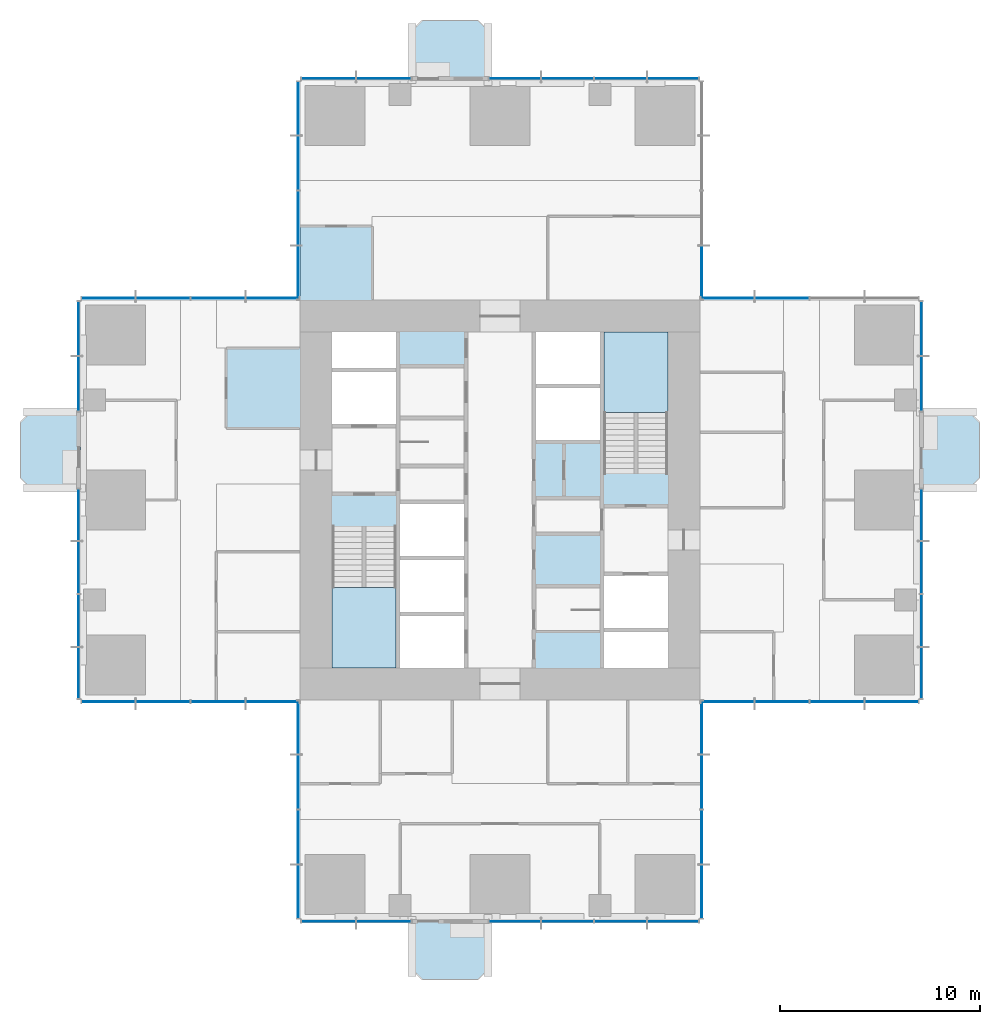
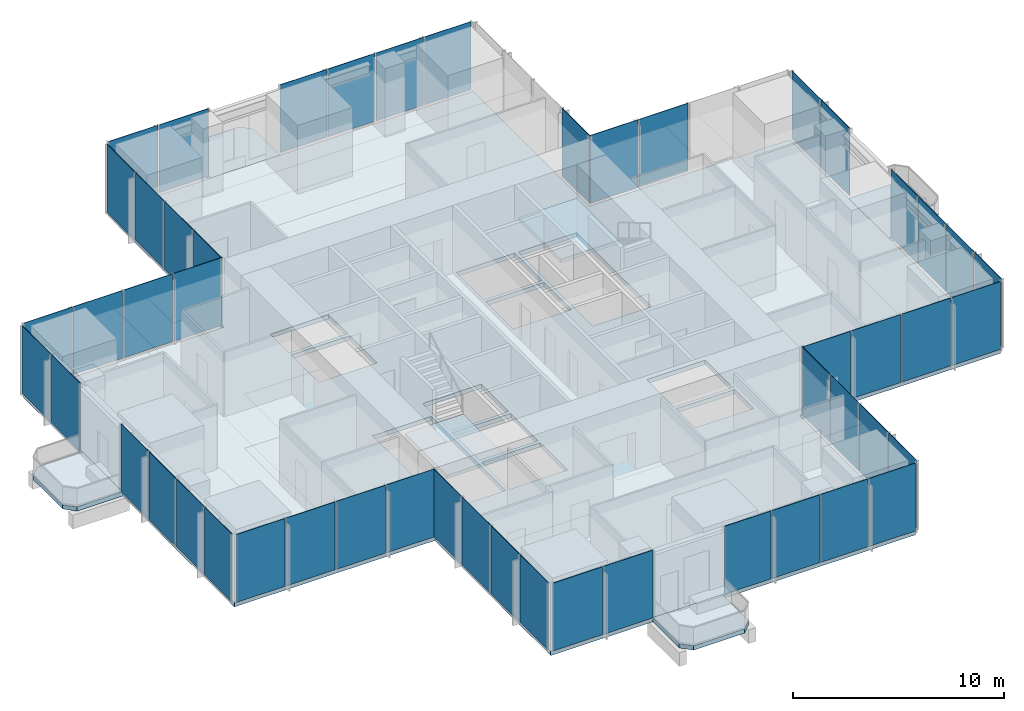
# One storey, part 7 of 13: 51 plates, 7 slabs, 18 elements without a shape of their own.
"""IFC4 building model written with IfcOpenShell, lengths in metres."""

import ifcopenshell
import ifcopenshell.guid

model = None  # the IFC model being written
_history = None  # IfcOwnerHistory: only IFC2X3 demands one
_inside = {}  # id of a spatial element -> (the spatial element, [elements in it])
_under = {}  # id of a project, library or spatial element -> (it, [spatial elements below it])
_declared = {}  # id of a project -> (the project, [libraries it declares])
_typed = {}  # id of a type object -> (the type object, [elements of that type])
_made_of = {}  # id of a material, layer set ... -> (it, [elements and type objects made of it])


def new_model(schema):
    """Start an empty IFC model of exactly this schema.

    Asked for "IFC4X3", IfcOpenShell would pick the latest addendum, in which some entities
    have other attributes; the version numbers below select the first issue.
    IFC2X3 requires an IfcOwnerHistory on every rooted entity: one is made here for all.
    """
    global model, _history
    if schema == "IFC4X3":
        model = ifcopenshell.file(schema_version=(4, 3, 0, 0))
    else:
        model = ifcopenshell.file(schema=schema)
    _inside.clear()
    _under.clear()
    _declared.clear()
    _typed.clear()
    _made_of.clear()
    _history = None
    if model.schema == "IFC2X3":
        org = make("IfcOrganization", Name="unknown")
        user = make(
            "IfcPersonAndOrganization",
            ThePerson=make("IfcPerson", FamilyName="unknown"),
            TheOrganization=org,
        )
        app = make(
            "IfcApplication",
            ApplicationDeveloper=org,
            Version="unknown",
            ApplicationFullName="unknown",
            ApplicationIdentifier="unknown",
        )
        _history = make(
            "IfcOwnerHistory",
            OwningUser=user,
            OwningApplication=app,
            ChangeAction="ADDED",
            CreationDate=0,
        )
    return model


def make(cls, **values):
    """One entity of the class cls with the attributes given. An attribute that is None is left unset."""
    return model.create_entity(
        cls, **{name: value for name, value in values.items() if value is not None}
    )


def rooted(cls, **values):
    """An entity with a GlobalId (a new one), such as an element, a storey or a relation."""
    return make(cls, GlobalId=ifcopenshell.guid.new(), OwnerHistory=_history, **values)


def si_unit(unit_type, name, prefix=None):
    """IfcSIUnit, for example si_unit("LENGTHUNIT", "METRE", prefix="MILLI")."""
    return make("IfcSIUnit", UnitType=unit_type, Prefix=prefix, Name=name)


def assignment(units):
    """IfcUnitAssignment: the units of a project."""
    return None if units is None else make("IfcUnitAssignment", Units=units)


def point(xyz):
    """IfcCartesianPoint."""
    return None if xyz is None else make("IfcCartesianPoint", Coordinates=xyz)


def direction(xyz):
    """IfcDirection."""
    return None if xyz is None else make("IfcDirection", DirectionRatios=xyz)


def frame(location, z_axis=None, x_axis=None):
    """IfcAxis2Placement3D, a coordinate frame: its origin and axes. An axis left out is left unset."""
    return make(
        "IfcAxis2Placement3D",
        Location=point(location),
        Axis=direction(z_axis),
        RefDirection=direction(x_axis),
    )


def frame_2d(location, x_axis=None):
    """IfcAxis2Placement2D, a coordinate frame in the plane: its origin and x axis."""
    return make(
        "IfcAxis2Placement2D", Location=point(location), RefDirection=direction(x_axis)
    )


def origin():
    """The frame at (0, 0, 0) with its axes left unset."""
    return frame((0.0, 0.0, 0.0))


def origin_2d():
    """The frame at (0, 0) in the plane with its x axis left unset."""
    return frame_2d((0.0, 0.0))


def place(relative_to, where):
    """IfcLocalPlacement: puts the frame where relative to a parent placement (None: the world)."""
    return make(
        "IfcLocalPlacement", PlacementRelTo=relative_to, RelativePlacement=where
    )


def context(
    kind, dimensions, precision=None, world=None, true_north=None, identifier=None
):
    """IfcGeometricRepresentationContext, for example the 3D "Model" context."""
    return make(
        "IfcGeometricRepresentationContext",
        ContextIdentifier=identifier,
        ContextType=kind,
        CoordinateSpaceDimension=dimensions,
        Precision=precision,
        WorldCoordinateSystem=world,
        TrueNorth=true_north,
    )


def subcontext(parent, identifier, kind, view, scale=None):
    """IfcGeometricRepresentationSubContext, for example "Body" below "Model"."""
    return make(
        "IfcGeometricRepresentationSubContext",
        ContextIdentifier=identifier,
        ContextType=kind,
        ParentContext=parent,
        TargetScale=scale,
        TargetView=view,
    )


def project(units=None, contexts=None):
    """IfcProject with its units and contexts."""
    return rooted(
        "IfcProject",
        Name="project",
        RepresentationContexts=contexts,
        UnitsInContext=assignment(units),
    )


def spatial(cls, under=None, at=None, **own):
    """A site, building, storey or space (cls), placed at a placement, below another one or the project."""
    s = rooted(cls, ObjectPlacement=at, **own)
    if under is not None:
        _under.setdefault(under.id(), (under, []))[1].append(s)
    return s


def polyline(points):
    """IfcPolyline through the points."""
    return make("IfcPolyline", Points=[point(p) for p in points])


def profile(cls, at=None, kind="AREA", **sizes):
    """A parametric profile (cls). Its sizes go by their IFC names, for example OverallWidth=200.0."""
    return make(cls, ProfileType=kind, Position=at, **sizes)


def rectangle(**sizes):
    """IfcRectangleProfileDef."""
    return profile("IfcRectangleProfileDef", **sizes)


def outline(outer, holes=None, kind="AREA"):
    """IfcArbitraryClosedProfileDef: a profile drawn as a closed curve; with holes, ...WithVoids."""
    if holes is None:
        return make("IfcArbitraryClosedProfileDef", ProfileType=kind, OuterCurve=outer)
    return make(
        "IfcArbitraryProfileDefWithVoids",
        ProfileType=kind,
        OuterCurve=outer,
        InnerCurves=holes,
    )


def extrude(swept, where, along, depth):
    """IfcExtrudedAreaSolid: the profile swept, set in the frame where, extruded along a direction by depth."""
    return make(
        "IfcExtrudedAreaSolid",
        SweptArea=swept,
        Position=where,
        ExtrudedDirection=direction(along),
        Depth=depth,
    )


def shape(context_of_items, identifier, shape_type, items):
    """IfcShapeRepresentation: the items that make up one representation, for example the "Body"."""
    return make(
        "IfcShapeRepresentation",
        ContextOfItems=context_of_items,
        RepresentationIdentifier=identifier,
        RepresentationType=shape_type,
        Items=items,
    )


def material(Name=None, Category=None):
    """IfcMaterial."""
    return make("IfcMaterial", Name=Name, Category=Category)


def layer(
    of_material, thickness, ventilated=None, Name=None, Category=None, Priority=None
):
    """IfcMaterialLayer: one layer of a wall or slab, of a material (None: an air gap)."""
    return make(
        "IfcMaterialLayer",
        Material=of_material,
        LayerThickness=thickness,
        IsVentilated=ventilated,
        Name=Name,
        Category=Category,
        Priority=Priority,
    )


def layer_set(layers, Name=None):
    """IfcMaterialLayerSet."""
    return make("IfcMaterialLayerSet", MaterialLayers=layers, LayerSetName=Name)


def made_of(thing, what):
    """Note that an element or type object is made of a material, layer set ...; save() writes the relation."""
    if what is not None:
        _made_of.setdefault(what.id(), (what, []))[1].append(thing)
    return thing


def type_object(cls, material=None, **own):
    """A type object (cls), such as IfcWallType, which elements share."""
    return made_of(rooted(cls, **own), material)


def element(
    cls,
    number,
    at=None,
    inside=None,
    cuts=None,
    type_object=None,
    material=None,
    context=None,
    identifier="Body",
    shape_type=None,
    held_by="IfcProductDefinitionShape",
    body=None,
    shapes=None,
    **own,
):
    """One element of the class cls, such as IfcWall. Its Tag is "e" and its number.

    at: its placement. inside: the storey or other place that contains it. cuts: it is an
    opening in that element (IfcRelVoidsElement). A single representation is given by context,
    identifier, shape_type and body (its items); several are given by shapes. held_by: the class
    of the entity that holds the representations. save() writes the other relations.
    """
    e = rooted(cls, Tag="e%d" % number, ObjectPlacement=at, **own)
    if body is not None:
        shapes = [shape(context, identifier, shape_type, body)]
    if shapes is not None:
        e.Representation = make(held_by, Representations=shapes)
    if inside is not None:
        _inside.setdefault(inside.id(), (inside, []))[1].append(e)
    if cuts is not None:
        rooted(
            "IfcRelVoidsElement", RelatingBuildingElement=cuts, RelatedOpeningElement=e
        )
    if type_object is not None:
        _typed.setdefault(type_object.id(), (type_object, []))[1].append(e)
    return made_of(e, material)


def aggregate(whole, parts):
    """IfcRelAggregates: a whole, such as a stair, and the parts it consists of."""
    return rooted("IfcRelAggregates", RelatingObject=whole, RelatedObjects=parts)


def save(model, path):
    """Write the relations noted so far, then the file.

    IfcRelAggregates (storeys below a building ...), IfcRelContainedInSpatialStructure (elements
    in a storey), IfcRelDefinesByType, IfcRelAssociatesMaterial and IfcRelDeclares: one each for
    every whole, place, type object, material and project.
    """
    for whole, parts in _under.values():
        aggregate(whole, parts)
    for where, things in _inside.values():
        rooted(
            "IfcRelContainedInSpatialStructure",
            RelatedElements=things,
            RelatingStructure=where,
        )
    for kind, things in _typed.values():
        rooted("IfcRelDefinesByType", RelatedObjects=things, RelatingType=kind)
    for what, things in _made_of.values():
        rooted("IfcRelAssociatesMaterial", RelatedObjects=things, RelatingMaterial=what)
    for by, libraries in _declared.values():
        rooted("IfcRelDeclares", RelatingContext=by, RelatedDefinitions=libraries)
    model.write(path)


model = new_model("IFC4")

# Units and contexts
model_context = context("Model", 3, precision=1e-05, world=origin(), true_north=direction((0.0, 1.0)))
body_context = subcontext(model_context, "Body", "Model", "MODEL_VIEW")
ifc_project = project(units=[si_unit("LENGTHUNIT", "METRE"), si_unit("AREAUNIT", "SQUARE_METRE"), si_unit("VOLUMEUNIT", "CUBIC_METRE"), si_unit("PLANEANGLEUNIT", "RADIAN"), si_unit("MASSUNIT", "GRAM", prefix="KILO")], contexts=[model_context])

# Site, building, storey
site_placement = place(None, origin())
site = spatial("IfcSite", under=ifc_project, at=site_placement, CompositionType="ELEMENT")
building_placement = place(site_placement, origin())
building = spatial("IfcBuilding", under=site, at=building_placement, Name="Svetlomir Tower", CompositionType="ELEMENT")
storey_placement = place(building_placement, frame((0.0, 0.0, 148.5)))
storey = spatial("IfcBuildingStorey", under=building, at=storey_placement, Name="L35", CompositionType="ELEMENT", Elevation=148.5)

# Slabs
ifc_material_1 = material(Name="Concrete C60/75", Category="concrete")
ifc_layer_1 = layer(ifc_material_1, 0.25)
ifc_layer_set_1 = layer_set([ifc_layer_1], Name="Concrete C60/75")
slab_type_1 = type_object("IfcSlabType", Name="BALCONY SLAB 250", PredefinedType="FLOOR", material=ifc_layer_set_1)
slab_1_placement = place(storey_placement, frame((0.0, 0.0, -0.25)))
element("IfcSlab", 1, at=slab_1_placement, inside=storey, type_object=slab_type_1, Name="L35 S planted balcony", PredefinedType="FLOOR", context=body_context, shape_type="SweptSolid", body=[
    extrude(outline(polyline([(16.60009765625, -2.5), (17.10009765625, -3.0), (19.89990234375, -3.0), (20.39990234375, -2.5), (20.39990234375, 0.0), (16.60009765625, 0.0), (16.60009765625, -2.5)])), origin(), (0.0, 0.0, 1.0), 0.25),
])
slab_2_placement = place(storey_placement, frame((0.0, 0.0, -0.25)))
element("IfcSlab", 2, at=slab_2_placement, inside=storey, type_object=slab_type_1, Name="L35 E planted balcony", PredefinedType="FLOOR", context=body_context, shape_type="SweptSolid", body=[
    extrude(outline(polyline([(42.0, 21.60009765625), (44.5, 21.60009765625), (45.0, 22.10009765625), (45.0, 24.89990234375), (44.5, 25.39990234375), (42.0, 25.39990234375), (42.0, 21.60009765625)])), origin(), (0.0, 0.0, 1.0), 0.25),
])
slab_3_placement = place(storey_placement, frame((0.0, 0.0, -0.25)))
element("IfcSlab", 3, at=slab_3_placement, inside=storey, type_object=slab_type_1, Name="L35 N planted balcony", PredefinedType="FLOOR", context=body_context, shape_type="SweptSolid", body=[
    extrude(outline(polyline([(16.60009765625, 42.0), (20.39990234375, 42.0), (20.39990234375, 44.5), (19.89990234375, 45.0), (17.10009765625, 45.0), (16.60009765625, 44.5), (16.60009765625, 42.0)])), origin(), (0.0, 0.0, 1.0), 0.25),
])
slab_4_placement = place(storey_placement, frame((0.0, 0.0, -0.25)))
element("IfcSlab", 4, at=slab_4_placement, inside=storey, type_object=slab_type_1, Name="L35 W planted balcony", PredefinedType="FLOOR", context=body_context, shape_type="SweptSolid", body=[
    extrude(outline(polyline([(-2.5, 21.60009765625), (0.0, 21.60009765625), (0.0, 25.39990234375), (-2.5, 25.39990234375), (-3.0, 24.89990234375), (-3.0, 22.10009765625), (-2.5, 21.60009765625)])), origin(), (0.0, 0.0, 1.0), 0.25),
])

# Curtain wall, plates
ifc_material_2 = material(Name="Bronze anodised aluminium curtain wall", Category="aluminium")
curtain_wall_type = type_object("IfcCurtainWallType", Name="CURTAIN WALL CW1 TOWER OFFICE", PredefinedType="NOTDEFINED", material=ifc_material_2)
curtain_wall_1_placement = place(storey_placement, origin())
curtain_wall_1 = element("IfcCurtainWall", 5, at=curtain_wall_1_placement, inside=storey, type_object=curtain_wall_type, Name="Curtain wall CW1 L35", PredefinedType="NOTDEFINED")
ifc_material_3 = material(Name="Tinted double glazed unit", Category="glass")
ifc_layer_2 = layer(ifc_material_3, 0.031982421875)
ifc_layer_set_2 = layer_set([ifc_layer_2], Name="Tinted double glazed unit")
plate_type = type_object("IfcPlateType", Name="CW1 GLAZED PANEL 32", PredefinedType="CURTAIN_PANEL", material=ifc_layer_set_2)
plate_1_placement = place(storey_placement, frame((12.416259765625, -0.10009765625, 0.06494140625), z_axis=(0.0, 0.0, 1.0), x_axis=(1.0, 0.0, 0.0)))
plate_1 = element("IfcPlate", 6, at=plate_1_placement, type_object=plate_type, Name="CW1 panel 1.1", PredefinedType="CURTAIN_PANEL", context=body_context, shape_type="SweptSolid", body=[
    extrude(rectangle(XDim=2.702392578125, YDim=0.031982421875, at=origin_2d()), origin(), (0.0, 0.0, 1.0), 3.93505859375),
])
plate_2_placement = place(storey_placement, frame((15.183837890625, -0.10009765625, 0.06494140625), z_axis=(0.0, 0.0, 1.0), x_axis=(1.0, 0.0, 0.0)))
plate_2 = element("IfcPlate", 7, at=plate_2_placement, type_object=plate_type, Name="CW1 panel 2.1", PredefinedType="CURTAIN_PANEL", context=body_context, shape_type="SweptSolid", body=[
    extrude(rectangle(XDim=2.702392578125, YDim=0.031982421875, at=origin_2d()), origin(), (0.0, 0.0, 1.0), 3.93505859375),
])
aggregate(curtain_wall_1, [plate_1, plate_2])

curtain_wall_2_placement = place(storey_placement, origin())
curtain_wall_2 = element("IfcCurtainWall", 8, at=curtain_wall_2_placement, inside=storey, type_object=curtain_wall_type, Name="Curtain wall CW1 L35", PredefinedType="NOTDEFINED")
plate_3_placement = place(storey_placement, frame((21.7412109375, -0.10009765625, 0.06494140625), z_axis=(0.0, 0.0, 1.0), x_axis=(1.0, 0.0, 0.0)))
plate_3 = element("IfcPlate", 9, at=plate_3_placement, type_object=plate_type, Name="CW1 panel 1.1", PredefinedType="CURTAIN_PANEL", context=body_context, shape_type="SweptSolid", body=[
    extrude(rectangle(XDim=2.552490234375, YDim=0.031982421875, at=origin_2d()), origin(), (0.0, 0.0, 1.0), 3.93505859375),
])
plate_4_placement = place(storey_placement, frame((24.375, -0.10009765625, 0.06494140625), z_axis=(0.0, 0.0, 1.0), x_axis=(1.0, 0.0, 0.0)))
plate_4 = element("IfcPlate", 10, at=plate_4_placement, type_object=plate_type, Name="CW1 panel 2.1", PredefinedType="CURTAIN_PANEL", context=body_context, shape_type="SweptSolid", body=[
    extrude(rectangle(XDim=2.5849609375, YDim=0.031982421875, at=origin_2d()), origin(), (0.0, 0.0, 1.0), 3.93505859375),
])
plate_5_placement = place(storey_placement, frame((27.02490234375, -0.10009765625, 0.06494140625), z_axis=(0.0, 0.0, 1.0), x_axis=(1.0, 0.0, 0.0)))
plate_5 = element("IfcPlate", 11, at=plate_5_placement, type_object=plate_type, Name="CW1 panel 3.1", PredefinedType="CURTAIN_PANEL", context=body_context, shape_type="SweptSolid", body=[
    extrude(rectangle(XDim=2.5849609375, YDim=0.031982421875, at=origin_2d()), origin(), (0.0, 0.0, 1.0), 3.93505859375),
])
plate_6_placement = place(storey_placement, frame((29.65869140625, -0.10009765625, 0.06494140625), z_axis=(0.0, 0.0, 1.0), x_axis=(1.0, 0.0, 0.0)))
plate_6 = element("IfcPlate", 12, at=plate_6_placement, type_object=plate_type, Name="CW1 panel 4.1", PredefinedType="CURTAIN_PANEL", context=body_context, shape_type="SweptSolid", body=[
    extrude(rectangle(XDim=2.552490234375, YDim=0.031982421875, at=origin_2d()), origin(), (0.0, 0.0, 1.0), 3.93505859375),
])
aggregate(curtain_wall_2, [plate_3, plate_4, plate_5, plate_6])

curtain_wall_3_placement = place(storey_placement, origin())
curtain_wall_3 = element("IfcCurtainWall", 13, at=curtain_wall_3_placement, inside=storey, type_object=curtain_wall_type, Name="Curtain wall CW1 L35", PredefinedType="NOTDEFINED")
plate_7_placement = place(storey_placement, frame((31.10009765625, 1.391357421875, 0.06494140625), z_axis=(0.0, 0.0, 1.0), x_axis=(0.0, 1.0, 0.0)))
plate_7 = element("IfcPlate", 14, at=plate_7_placement, type_object=plate_type, Name="CW1 panel 1.1", PredefinedType="CURTAIN_PANEL", context=body_context, shape_type="SweptSolid", body=[
    extrude(rectangle(XDim=2.652587890625, YDim=0.031982421875, at=origin_2d()), origin(), (0.0, 0.0, 1.0), 3.93505859375),
])
plate_8_placement = place(storey_placement, frame((31.10009765625, 4.125, 0.06494140625), z_axis=(0.0, 0.0, 1.0), x_axis=(0.0, 1.0, 0.0)))
plate_8 = element("IfcPlate", 15, at=plate_8_placement, type_object=plate_type, Name="CW1 panel 2.1", PredefinedType="CURTAIN_PANEL", context=body_context, shape_type="SweptSolid", body=[
    extrude(rectangle(XDim=2.68505859375, YDim=0.031982421875, at=origin_2d()), origin(), (0.0, 0.0, 1.0), 3.93505859375),
])
plate_9_placement = place(storey_placement, frame((31.10009765625, 6.875, 0.06494140625), z_axis=(0.0, 0.0, 1.0), x_axis=(0.0, 1.0, 0.0)))
plate_9 = element("IfcPlate", 16, at=plate_9_placement, type_object=plate_type, Name="CW1 panel 3.1", PredefinedType="CURTAIN_PANEL", context=body_context, shape_type="SweptSolid", body=[
    extrude(rectangle(XDim=2.68505859375, YDim=0.031982421875, at=origin_2d()), origin(), (0.0, 0.0, 1.0), 3.93505859375),
])
plate_10_placement = place(storey_placement, frame((31.10009765625, 9.608642578125, 0.06494140625), z_axis=(0.0, 0.0, 1.0), x_axis=(0.0, 1.0, 0.0)))
plate_10 = element("IfcPlate", 17, at=plate_10_placement, type_object=plate_type, Name="CW1 panel 4.1", PredefinedType="CURTAIN_PANEL", context=body_context, shape_type="SweptSolid", body=[
    extrude(rectangle(XDim=2.652587890625, YDim=0.031982421875, at=origin_2d()), origin(), (0.0, 0.0, 1.0), 3.93505859375),
])
aggregate(curtain_wall_3, [plate_7, plate_8, plate_9, plate_10])

curtain_wall_4_placement = place(storey_placement, origin())
curtain_wall_4 = element("IfcCurtainWall", 18, at=curtain_wall_4_placement, inside=storey, type_object=curtain_wall_type, Name="Curtain wall CW1 L35", PredefinedType="NOTDEFINED")
plate_11_placement = place(storey_placement, frame((32.391357421875, 10.89990234375, 0.06494140625), z_axis=(0.0, 0.0, 1.0), x_axis=(1.0, 0.0, 0.0)))
plate_11 = element("IfcPlate", 19, at=plate_11_placement, type_object=plate_type, Name="CW1 panel 1.1", PredefinedType="CURTAIN_PANEL", context=body_context, shape_type="SweptSolid", body=[
    extrude(rectangle(XDim=2.652587890625, YDim=0.031982421875, at=origin_2d()), origin(), (0.0, 0.0, 1.0), 3.93505859375),
])
plate_12_placement = place(storey_placement, frame((35.125, 10.89990234375, 0.06494140625), z_axis=(0.0, 0.0, 1.0), x_axis=(1.0, 0.0, 0.0)))
plate_12 = element("IfcPlate", 20, at=plate_12_placement, type_object=plate_type, Name="CW1 panel 2.1", PredefinedType="CURTAIN_PANEL", context=body_context, shape_type="SweptSolid", body=[
    extrude(rectangle(XDim=2.68505859375, YDim=0.031982421875, at=origin_2d()), origin(), (0.0, 0.0, 1.0), 3.93505859375),
])
plate_13_placement = place(storey_placement, frame((37.875, 10.89990234375, 0.06494140625), z_axis=(0.0, 0.0, 1.0), x_axis=(1.0, 0.0, 0.0)))
plate_13 = element("IfcPlate", 21, at=plate_13_placement, type_object=plate_type, Name="CW1 panel 3.1", PredefinedType="CURTAIN_PANEL", context=body_context, shape_type="SweptSolid", body=[
    extrude(rectangle(XDim=2.68505859375, YDim=0.031982421875, at=origin_2d()), origin(), (0.0, 0.0, 1.0), 3.93505859375),
])
plate_14_placement = place(storey_placement, frame((40.608642578125, 10.89990234375, 0.06494140625), z_axis=(0.0, 0.0, 1.0), x_axis=(1.0, 0.0, 0.0)))
plate_14 = element("IfcPlate", 22, at=plate_14_placement, type_object=plate_type, Name="CW1 panel 4.1", PredefinedType="CURTAIN_PANEL", context=body_context, shape_type="SweptSolid", body=[
    extrude(rectangle(XDim=2.652587890625, YDim=0.031982421875, at=origin_2d()), origin(), (0.0, 0.0, 1.0), 3.93505859375),
])
aggregate(curtain_wall_4, [plate_11, plate_12, plate_13, plate_14])

curtain_wall_5_placement = place(storey_placement, origin())
curtain_wall_5 = element("IfcCurtainWall", 23, at=curtain_wall_5_placement, inside=storey, type_object=curtain_wall_type, Name="Curtain wall CW1 L35", PredefinedType="NOTDEFINED")
plate_15_placement = place(storey_placement, frame((42.10009765625, 12.34130859375, 0.06494140625), z_axis=(0.0, 0.0, 1.0), x_axis=(0.0, 1.0, 0.0)))
plate_15 = element("IfcPlate", 24, at=plate_15_placement, type_object=plate_type, Name="CW1 panel 1.1", PredefinedType="CURTAIN_PANEL", context=body_context, shape_type="SweptSolid", body=[
    extrude(rectangle(XDim=2.552490234375, YDim=0.031982421875, at=origin_2d()), origin(), (0.0, 0.0, 1.0), 3.93505859375),
])
plate_16_placement = place(storey_placement, frame((42.10009765625, 14.97509765625, 0.06494140625), z_axis=(0.0, 0.0, 1.0), x_axis=(0.0, 1.0, 0.0)))
plate_16 = element("IfcPlate", 25, at=plate_16_placement, type_object=plate_type, Name="CW1 panel 2.1", PredefinedType="CURTAIN_PANEL", context=body_context, shape_type="SweptSolid", body=[
    extrude(rectangle(XDim=2.5849609375, YDim=0.031982421875, at=origin_2d()), origin(), (0.0, 0.0, 1.0), 3.93505859375),
])
plate_17_placement = place(storey_placement, frame((42.10009765625, 17.625, 0.06494140625), z_axis=(0.0, 0.0, 1.0), x_axis=(0.0, 1.0, 0.0)))
plate_17 = element("IfcPlate", 26, at=plate_17_placement, type_object=plate_type, Name="CW1 panel 3.1", PredefinedType="CURTAIN_PANEL", context=body_context, shape_type="SweptSolid", body=[
    extrude(rectangle(XDim=2.5849609375, YDim=0.031982421875, at=origin_2d()), origin(), (0.0, 0.0, 1.0), 3.93505859375),
])
plate_18_placement = place(storey_placement, frame((42.10009765625, 20.2587890625, 0.06494140625), z_axis=(0.0, 0.0, 1.0), x_axis=(0.0, 1.0, 0.0)))
plate_18 = element("IfcPlate", 27, at=plate_18_placement, type_object=plate_type, Name="CW1 panel 4.1", PredefinedType="CURTAIN_PANEL", context=body_context, shape_type="SweptSolid", body=[
    extrude(rectangle(XDim=2.552490234375, YDim=0.031982421875, at=origin_2d()), origin(), (0.0, 0.0, 1.0), 3.93505859375),
])
aggregate(curtain_wall_5, [plate_15, plate_16, plate_17, plate_18])

curtain_wall_6_placement = place(storey_placement, origin())
curtain_wall_6 = element("IfcCurtainWall", 28, at=curtain_wall_6_placement, inside=storey, type_object=curtain_wall_type, Name="Curtain wall CW1 L35", PredefinedType="NOTDEFINED")
plate_19_placement = place(storey_placement, frame((42.10009765625, 26.816162109375, 0.06494140625), z_axis=(0.0, 0.0, 1.0), x_axis=(0.0, 1.0, 0.0)))
plate_19 = element("IfcPlate", 29, at=plate_19_placement, type_object=plate_type, Name="CW1 panel 1.1", PredefinedType="CURTAIN_PANEL", context=body_context, shape_type="SweptSolid", body=[
    extrude(rectangle(XDim=2.702392578125, YDim=0.031982421875, at=origin_2d()), origin(), (0.0, 0.0, 1.0), 3.93505859375),
])
plate_20_placement = place(storey_placement, frame((42.10009765625, 29.583740234375, 0.06494140625), z_axis=(0.0, 0.0, 1.0), x_axis=(0.0, 1.0, 0.0)))
plate_20 = element("IfcPlate", 30, at=plate_20_placement, type_object=plate_type, Name="CW1 panel 2.1", PredefinedType="CURTAIN_PANEL", context=body_context, shape_type="SweptSolid", body=[
    extrude(rectangle(XDim=2.702392578125, YDim=0.031982421875, at=origin_2d()), origin(), (0.0, 0.0, 1.0), 3.93505859375),
])
aggregate(curtain_wall_6, [plate_19, plate_20])

curtain_wall_7_placement = place(storey_placement, origin())
curtain_wall_7 = element("IfcCurtainWall", 31, at=curtain_wall_7_placement, inside=storey, type_object=curtain_wall_type, Name="Curtain wall CW1 L35", PredefinedType="NOTDEFINED")
plate_21_placement = place(storey_placement, frame((35.125, 31.10009765625, 0.06494140625), z_axis=(0.0, 0.0, 1.0), x_axis=(-1.0, 0.0, 0.0)))
plate_21 = element("IfcPlate", 32, at=plate_21_placement, type_object=plate_type, Name="CW1 panel 3.1", PredefinedType="CURTAIN_PANEL", context=body_context, shape_type="SweptSolid", body=[
    extrude(rectangle(XDim=2.68505859375, YDim=0.031982421875, at=origin_2d()), origin(), (0.0, 0.0, 1.0), 3.93505859375),
])
plate_22_placement = place(storey_placement, frame((32.391357421875, 31.10009765625, 0.06494140625), z_axis=(0.0, 0.0, 1.0), x_axis=(-1.0, 0.0, 0.0)))
plate_22 = element("IfcPlate", 33, at=plate_22_placement, type_object=plate_type, Name="CW1 panel 4.1", PredefinedType="CURTAIN_PANEL", context=body_context, shape_type="SweptSolid", body=[
    extrude(rectangle(XDim=2.652587890625, YDim=0.031982421875, at=origin_2d()), origin(), (0.0, 0.0, 1.0), 3.93505859375),
])
aggregate(curtain_wall_7, [plate_21, plate_22])

# Curtain wall, plate
curtain_wall_8_placement = place(storey_placement, origin())
curtain_wall_8 = element("IfcCurtainWall", 34, at=curtain_wall_8_placement, inside=storey, type_object=curtain_wall_type, Name="Curtain wall CW1 L35", PredefinedType="NOTDEFINED")
plate_23_placement = place(storey_placement, frame((31.10009765625, 32.391357421875, 0.06494140625), z_axis=(0.0, 0.0, 1.0), x_axis=(0.0, 1.0, 0.0)))
plate_23 = element("IfcPlate", 35, at=plate_23_placement, type_object=plate_type, Name="CW1 panel 1.1", PredefinedType="CURTAIN_PANEL", context=body_context, shape_type="SweptSolid", body=[
    extrude(rectangle(XDim=2.652587890625, YDim=0.031982421875, at=origin_2d()), origin(), (0.0, 0.0, 1.0), 3.93505859375),
])
aggregate(curtain_wall_8, [plate_23])

# Curtain wall, plates
curtain_wall_9_placement = place(storey_placement, origin())
curtain_wall_9 = element("IfcCurtainWall", 36, at=curtain_wall_9_placement, inside=storey, type_object=curtain_wall_type, Name="Curtain wall CW1 L35", PredefinedType="NOTDEFINED")
plate_24_placement = place(storey_placement, frame((29.65869140625, 42.10009765625, 0.06494140625), z_axis=(0.0, 0.0, 1.0), x_axis=(-1.0, 0.0, 0.0)))
plate_24 = element("IfcPlate", 37, at=plate_24_placement, type_object=plate_type, Name="CW1 panel 1.1", PredefinedType="CURTAIN_PANEL", context=body_context, shape_type="SweptSolid", body=[
    extrude(rectangle(XDim=2.552490234375, YDim=0.031982421875, at=origin_2d()), origin(), (0.0, 0.0, 1.0), 3.93505859375),
])
plate_25_placement = place(storey_placement, frame((27.02490234375, 42.10009765625, 0.06494140625), z_axis=(0.0, 0.0, 1.0), x_axis=(-1.0, 0.0, 0.0)))
plate_25 = element("IfcPlate", 38, at=plate_25_placement, type_object=plate_type, Name="CW1 panel 2.1", PredefinedType="CURTAIN_PANEL", context=body_context, shape_type="SweptSolid", body=[
    extrude(rectangle(XDim=2.5849609375, YDim=0.031982421875, at=origin_2d()), origin(), (0.0, 0.0, 1.0), 3.93505859375),
])
plate_26_placement = place(storey_placement, frame((24.375, 42.10009765625, 0.06494140625), z_axis=(0.0, 0.0, 1.0), x_axis=(-1.0, 0.0, 0.0)))
plate_26 = element("IfcPlate", 39, at=plate_26_placement, type_object=plate_type, Name="CW1 panel 3.1", PredefinedType="CURTAIN_PANEL", context=body_context, shape_type="SweptSolid", body=[
    extrude(rectangle(XDim=2.5849609375, YDim=0.031982421875, at=origin_2d()), origin(), (0.0, 0.0, 1.0), 3.93505859375),
])
plate_27_placement = place(storey_placement, frame((21.7412109375, 42.10009765625, 0.06494140625), z_axis=(0.0, 0.0, 1.0), x_axis=(-1.0, 0.0, 0.0)))
plate_27 = element("IfcPlate", 40, at=plate_27_placement, type_object=plate_type, Name="CW1 panel 4.1", PredefinedType="CURTAIN_PANEL", context=body_context, shape_type="SweptSolid", body=[
    extrude(rectangle(XDim=2.552490234375, YDim=0.031982421875, at=origin_2d()), origin(), (0.0, 0.0, 1.0), 3.93505859375),
])
aggregate(curtain_wall_9, [plate_24, plate_25, plate_26, plate_27])

curtain_wall_10_placement = place(storey_placement, origin())
curtain_wall_10 = element("IfcCurtainWall", 41, at=curtain_wall_10_placement, inside=storey, type_object=curtain_wall_type, Name="Curtain wall CW1 L35", PredefinedType="NOTDEFINED")
plate_28_placement = place(storey_placement, frame((15.183837890625, 42.10009765625, 0.06494140625), z_axis=(0.0, 0.0, 1.0), x_axis=(-1.0, 0.0, 0.0)))
plate_28 = element("IfcPlate", 42, at=plate_28_placement, type_object=plate_type, Name="CW1 panel 1.1", PredefinedType="CURTAIN_PANEL", context=body_context, shape_type="SweptSolid", body=[
    extrude(rectangle(XDim=2.702392578125, YDim=0.031982421875, at=origin_2d()), origin(), (0.0, 0.0, 1.0), 3.93505859375),
])
plate_29_placement = place(storey_placement, frame((12.416259765625, 42.10009765625, 0.06494140625), z_axis=(0.0, 0.0, 1.0), x_axis=(-1.0, 0.0, 0.0)))
plate_29 = element("IfcPlate", 43, at=plate_29_placement, type_object=plate_type, Name="CW1 panel 2.1", PredefinedType="CURTAIN_PANEL", context=body_context, shape_type="SweptSolid", body=[
    extrude(rectangle(XDim=2.702392578125, YDim=0.031982421875, at=origin_2d()), origin(), (0.0, 0.0, 1.0), 3.93505859375),
])
aggregate(curtain_wall_10, [plate_28, plate_29])

curtain_wall_11_placement = place(storey_placement, origin())
curtain_wall_11 = element("IfcCurtainWall", 44, at=curtain_wall_11_placement, inside=storey, type_object=curtain_wall_type, Name="Curtain wall CW1 L35", PredefinedType="NOTDEFINED")
plate_30_placement = place(storey_placement, frame((10.89990234375, 40.608642578125, 0.06494140625), z_axis=(0.0, 0.0, 1.0), x_axis=(0.0, -1.0, 0.0)))
plate_30 = element("IfcPlate", 45, at=plate_30_placement, type_object=plate_type, Name="CW1 panel 1.1", PredefinedType="CURTAIN_PANEL", context=body_context, shape_type="SweptSolid", body=[
    extrude(rectangle(XDim=2.652587890625, YDim=0.031982421875, at=origin_2d()), origin(), (0.0, 0.0, 1.0), 3.93505859375),
])
plate_31_placement = place(storey_placement, frame((10.89990234375, 37.875, 0.06494140625), z_axis=(0.0, 0.0, 1.0), x_axis=(0.0, -1.0, 0.0)))
plate_31 = element("IfcPlate", 46, at=plate_31_placement, type_object=plate_type, Name="CW1 panel 2.1", PredefinedType="CURTAIN_PANEL", context=body_context, shape_type="SweptSolid", body=[
    extrude(rectangle(XDim=2.68505859375, YDim=0.031982421875, at=origin_2d()), origin(), (0.0, 0.0, 1.0), 3.93505859375),
])
plate_32_placement = place(storey_placement, frame((10.89990234375, 35.125, 0.06494140625), z_axis=(0.0, 0.0, 1.0), x_axis=(0.0, -1.0, 0.0)))
plate_32 = element("IfcPlate", 47, at=plate_32_placement, type_object=plate_type, Name="CW1 panel 3.1", PredefinedType="CURTAIN_PANEL", context=body_context, shape_type="SweptSolid", body=[
    extrude(rectangle(XDim=2.68505859375, YDim=0.031982421875, at=origin_2d()), origin(), (0.0, 0.0, 1.0), 3.93505859375),
])
plate_33_placement = place(storey_placement, frame((10.89990234375, 32.391357421875, 0.06494140625), z_axis=(0.0, 0.0, 1.0), x_axis=(0.0, -1.0, 0.0)))
plate_33 = element("IfcPlate", 48, at=plate_33_placement, type_object=plate_type, Name="CW1 panel 4.1", PredefinedType="CURTAIN_PANEL", context=body_context, shape_type="SweptSolid", body=[
    extrude(rectangle(XDim=2.652587890625, YDim=0.031982421875, at=origin_2d()), origin(), (0.0, 0.0, 1.0), 3.93505859375),
])
aggregate(curtain_wall_11, [plate_30, plate_31, plate_32, plate_33])

curtain_wall_12_placement = place(storey_placement, origin())
curtain_wall_12 = element("IfcCurtainWall", 49, at=curtain_wall_12_placement, inside=storey, type_object=curtain_wall_type, Name="Curtain wall CW1 L35", PredefinedType="NOTDEFINED")
plate_34_placement = place(storey_placement, frame((9.608642578125, 31.10009765625, 0.06494140625), z_axis=(0.0, 0.0, 1.0), x_axis=(-1.0, 0.0, 0.0)))
plate_34 = element("IfcPlate", 50, at=plate_34_placement, type_object=plate_type, Name="CW1 panel 1.1", PredefinedType="CURTAIN_PANEL", context=body_context, shape_type="SweptSolid", body=[
    extrude(rectangle(XDim=2.652587890625, YDim=0.031982421875, at=origin_2d()), origin(), (0.0, 0.0, 1.0), 3.93505859375),
])
plate_35_placement = place(storey_placement, frame((6.875, 31.10009765625, 0.06494140625), z_axis=(0.0, 0.0, 1.0), x_axis=(-1.0, 0.0, 0.0)))
plate_35 = element("IfcPlate", 51, at=plate_35_placement, type_object=plate_type, Name="CW1 panel 2.1", PredefinedType="CURTAIN_PANEL", context=body_context, shape_type="SweptSolid", body=[
    extrude(rectangle(XDim=2.68505859375, YDim=0.031982421875, at=origin_2d()), origin(), (0.0, 0.0, 1.0), 3.93505859375),
])
plate_36_placement = place(storey_placement, frame((4.125, 31.10009765625, 0.06494140625), z_axis=(0.0, 0.0, 1.0), x_axis=(-1.0, 0.0, 0.0)))
plate_36 = element("IfcPlate", 52, at=plate_36_placement, type_object=plate_type, Name="CW1 panel 3.1", PredefinedType="CURTAIN_PANEL", context=body_context, shape_type="SweptSolid", body=[
    extrude(rectangle(XDim=2.68505859375, YDim=0.031982421875, at=origin_2d()), origin(), (0.0, 0.0, 1.0), 3.93505859375),
])
plate_37_placement = place(storey_placement, frame((1.391357421875, 31.10009765625, 0.06494140625), z_axis=(0.0, 0.0, 1.0), x_axis=(-1.0, 0.0, 0.0)))
plate_37 = element("IfcPlate", 53, at=plate_37_placement, type_object=plate_type, Name="CW1 panel 4.1", PredefinedType="CURTAIN_PANEL", context=body_context, shape_type="SweptSolid", body=[
    extrude(rectangle(XDim=2.652587890625, YDim=0.031982421875, at=origin_2d()), origin(), (0.0, 0.0, 1.0), 3.93505859375),
])
aggregate(curtain_wall_12, [plate_34, plate_35, plate_36, plate_37])

curtain_wall_13_placement = place(storey_placement, origin())
curtain_wall_13 = element("IfcCurtainWall", 54, at=curtain_wall_13_placement, inside=storey, type_object=curtain_wall_type, Name="Curtain wall CW1 L35", PredefinedType="NOTDEFINED")
plate_38_placement = place(storey_placement, frame((-0.10009765625, 29.583740234375, 0.06494140625), z_axis=(0.0, 0.0, 1.0), x_axis=(0.0, -1.0, 0.0)))
plate_38 = element("IfcPlate", 55, at=plate_38_placement, type_object=plate_type, Name="CW1 panel 1.1", PredefinedType="CURTAIN_PANEL", context=body_context, shape_type="SweptSolid", body=[
    extrude(rectangle(XDim=2.702392578125, YDim=0.031982421875, at=origin_2d()), origin(), (0.0, 0.0, 1.0), 3.93505859375),
])
plate_39_placement = place(storey_placement, frame((-0.10009765625, 26.816162109375, 0.06494140625), z_axis=(0.0, 0.0, 1.0), x_axis=(0.0, -1.0, 0.0)))
plate_39 = element("IfcPlate", 56, at=plate_39_placement, type_object=plate_type, Name="CW1 panel 2.1", PredefinedType="CURTAIN_PANEL", context=body_context, shape_type="SweptSolid", body=[
    extrude(rectangle(XDim=2.702392578125, YDim=0.031982421875, at=origin_2d()), origin(), (0.0, 0.0, 1.0), 3.93505859375),
])
aggregate(curtain_wall_13, [plate_38, plate_39])

curtain_wall_14_placement = place(storey_placement, origin())
curtain_wall_14 = element("IfcCurtainWall", 57, at=curtain_wall_14_placement, inside=storey, type_object=curtain_wall_type, Name="Curtain wall CW1 L35", PredefinedType="NOTDEFINED")
plate_40_placement = place(storey_placement, frame((-0.10009765625, 20.2587890625, 0.06494140625), z_axis=(0.0, 0.0, 1.0), x_axis=(0.0, -1.0, 0.0)))
plate_40 = element("IfcPlate", 58, at=plate_40_placement, type_object=plate_type, Name="CW1 panel 1.1", PredefinedType="CURTAIN_PANEL", context=body_context, shape_type="SweptSolid", body=[
    extrude(rectangle(XDim=2.552490234375, YDim=0.031982421875, at=origin_2d()), origin(), (0.0, 0.0, 1.0), 3.93505859375),
])
plate_41_placement = place(storey_placement, frame((-0.10009765625, 17.625, 0.06494140625), z_axis=(0.0, 0.0, 1.0), x_axis=(0.0, -1.0, 0.0)))
plate_41 = element("IfcPlate", 59, at=plate_41_placement, type_object=plate_type, Name="CW1 panel 2.1", PredefinedType="CURTAIN_PANEL", context=body_context, shape_type="SweptSolid", body=[
    extrude(rectangle(XDim=2.5849609375, YDim=0.031982421875, at=origin_2d()), origin(), (0.0, 0.0, 1.0), 3.93505859375),
])
plate_42_placement = place(storey_placement, frame((-0.10009765625, 14.97509765625, 0.06494140625), z_axis=(0.0, 0.0, 1.0), x_axis=(0.0, -1.0, 0.0)))
plate_42 = element("IfcPlate", 60, at=plate_42_placement, type_object=plate_type, Name="CW1 panel 3.1", PredefinedType="CURTAIN_PANEL", context=body_context, shape_type="SweptSolid", body=[
    extrude(rectangle(XDim=2.5849609375, YDim=0.031982421875, at=origin_2d()), origin(), (0.0, 0.0, 1.0), 3.93505859375),
])
plate_43_placement = place(storey_placement, frame((-0.10009765625, 12.34130859375, 0.06494140625), z_axis=(0.0, 0.0, 1.0), x_axis=(0.0, -1.0, 0.0)))
plate_43 = element("IfcPlate", 61, at=plate_43_placement, type_object=plate_type, Name="CW1 panel 4.1", PredefinedType="CURTAIN_PANEL", context=body_context, shape_type="SweptSolid", body=[
    extrude(rectangle(XDim=2.552490234375, YDim=0.031982421875, at=origin_2d()), origin(), (0.0, 0.0, 1.0), 3.93505859375),
])
aggregate(curtain_wall_14, [plate_40, plate_41, plate_42, plate_43])

curtain_wall_15_placement = place(storey_placement, origin())
curtain_wall_15 = element("IfcCurtainWall", 62, at=curtain_wall_15_placement, inside=storey, type_object=curtain_wall_type, Name="Curtain wall CW1 L35", PredefinedType="NOTDEFINED")
plate_44_placement = place(storey_placement, frame((1.391357421875, 10.89990234375, 0.06494140625), z_axis=(0.0, 0.0, 1.0), x_axis=(1.0, 0.0, 0.0)))
plate_44 = element("IfcPlate", 63, at=plate_44_placement, type_object=plate_type, Name="CW1 panel 1.1", PredefinedType="CURTAIN_PANEL", context=body_context, shape_type="SweptSolid", body=[
    extrude(rectangle(XDim=2.652587890625, YDim=0.031982421875, at=origin_2d()), origin(), (0.0, 0.0, 1.0), 3.93505859375),
])
plate_45_placement = place(storey_placement, frame((4.125, 10.89990234375, 0.06494140625), z_axis=(0.0, 0.0, 1.0), x_axis=(1.0, 0.0, 0.0)))
plate_45 = element("IfcPlate", 64, at=plate_45_placement, type_object=plate_type, Name="CW1 panel 2.1", PredefinedType="CURTAIN_PANEL", context=body_context, shape_type="SweptSolid", body=[
    extrude(rectangle(XDim=2.68505859375, YDim=0.031982421875, at=origin_2d()), origin(), (0.0, 0.0, 1.0), 3.93505859375),
])
plate_46_placement = place(storey_placement, frame((6.875, 10.89990234375, 0.06494140625), z_axis=(0.0, 0.0, 1.0), x_axis=(1.0, 0.0, 0.0)))
plate_46 = element("IfcPlate", 65, at=plate_46_placement, type_object=plate_type, Name="CW1 panel 3.1", PredefinedType="CURTAIN_PANEL", context=body_context, shape_type="SweptSolid", body=[
    extrude(rectangle(XDim=2.68505859375, YDim=0.031982421875, at=origin_2d()), origin(), (0.0, 0.0, 1.0), 3.93505859375),
])
plate_47_placement = place(storey_placement, frame((9.608642578125, 10.89990234375, 0.06494140625), z_axis=(0.0, 0.0, 1.0), x_axis=(1.0, 0.0, 0.0)))
plate_47 = element("IfcPlate", 66, at=plate_47_placement, type_object=plate_type, Name="CW1 panel 4.1", PredefinedType="CURTAIN_PANEL", context=body_context, shape_type="SweptSolid", body=[
    extrude(rectangle(XDim=2.652587890625, YDim=0.031982421875, at=origin_2d()), origin(), (0.0, 0.0, 1.0), 3.93505859375),
])
aggregate(curtain_wall_15, [plate_44, plate_45, plate_46, plate_47])

curtain_wall_16_placement = place(storey_placement, origin())
curtain_wall_16 = element("IfcCurtainWall", 67, at=curtain_wall_16_placement, inside=storey, type_object=curtain_wall_type, Name="Curtain wall CW1 L35", PredefinedType="NOTDEFINED")
plate_48_placement = place(storey_placement, frame((10.89990234375, 9.608642578125, 0.06494140625), z_axis=(0.0, 0.0, 1.0), x_axis=(0.0, -1.0, 0.0)))
plate_48 = element("IfcPlate", 68, at=plate_48_placement, type_object=plate_type, Name="CW1 panel 1.1", PredefinedType="CURTAIN_PANEL", context=body_context, shape_type="SweptSolid", body=[
    extrude(rectangle(XDim=2.652587890625, YDim=0.031982421875, at=origin_2d()), origin(), (0.0, 0.0, 1.0), 3.93505859375),
])
plate_49_placement = place(storey_placement, frame((10.89990234375, 6.875, 0.06494140625), z_axis=(0.0, 0.0, 1.0), x_axis=(0.0, -1.0, 0.0)))
plate_49 = element("IfcPlate", 69, at=plate_49_placement, type_object=plate_type, Name="CW1 panel 2.1", PredefinedType="CURTAIN_PANEL", context=body_context, shape_type="SweptSolid", body=[
    extrude(rectangle(XDim=2.68505859375, YDim=0.031982421875, at=origin_2d()), origin(), (0.0, 0.0, 1.0), 3.93505859375),
])
plate_50_placement = place(storey_placement, frame((10.89990234375, 4.125, 0.06494140625), z_axis=(0.0, 0.0, 1.0), x_axis=(0.0, -1.0, 0.0)))
plate_50 = element("IfcPlate", 70, at=plate_50_placement, type_object=plate_type, Name="CW1 panel 3.1", PredefinedType="CURTAIN_PANEL", context=body_context, shape_type="SweptSolid", body=[
    extrude(rectangle(XDim=2.68505859375, YDim=0.031982421875, at=origin_2d()), origin(), (0.0, 0.0, 1.0), 3.93505859375),
])
plate_51_placement = place(storey_placement, frame((10.89990234375, 1.391357421875, 0.06494140625), z_axis=(0.0, 0.0, 1.0), x_axis=(0.0, -1.0, 0.0)))
plate_51 = element("IfcPlate", 71, at=plate_51_placement, type_object=plate_type, Name="CW1 panel 4.1", PredefinedType="CURTAIN_PANEL", context=body_context, shape_type="SweptSolid", body=[
    extrude(rectangle(XDim=2.652587890625, YDim=0.031982421875, at=origin_2d()), origin(), (0.0, 0.0, 1.0), 3.93505859375),
])
aggregate(curtain_wall_16, [plate_48, plate_49, plate_50, plate_51])

# Slab
ifc_material_4 = material(Name="Concrete C60/75", Category="concrete")
ifc_layer_3 = layer(ifc_material_4, 0.25)
ifc_layer_set_3 = layer_set([ifc_layer_3], Name="Concrete C60/75")
slab_type_2 = type_object("IfcSlabType", Name="FLOOR SLAB 250", PredefinedType="FLOOR", material=ifc_layer_set_3)
slab_5_placement = place(storey_placement, frame((0.0, 0.0, -0.25)))
element("IfcSlab", 72, at=slab_5_placement, inside=storey, type_object=slab_type_2, Name="L35 floor slab", PredefinedType="FLOOR", context=body_context, shape_type="SweptSolid", body=[
    extrude(outline(polyline([(11.0, 0.0), (31.0, 0.0), (31.0, 11.0), (42.0, 11.0), (42.0, 31.0), (31.0, 31.0), (31.0, 42.0), (11.0, 42.0), (11.0, 31.0), (0.0, 31.0), (0.0, 11.0), (11.0, 11.0), (11.0, 0.0)]), holes=[polyline([(12.60009765625, 24.800048828125), (15.800048828125, 24.800048828125), (15.800048828125, 27.39990234375), (12.60009765625, 27.39990234375), (12.60009765625, 24.800048828125)]), polyline([(26.199951171875, 14.60009765625), (29.39990234375, 14.60009765625), (29.39990234375, 17.199951171875), (26.199951171875, 17.199951171875), (26.199951171875, 14.60009765625)]), polyline([(16.0, 12.60009765625), (19.199951171875, 12.60009765625), (19.199951171875, 15.199951171875), (16.0, 15.199951171875), (16.0, 12.60009765625)]), polyline([(16.0, 15.39990234375), (19.199951171875, 15.39990234375), (19.199951171875, 18.0), (16.0, 18.0), (16.0, 15.39990234375)]), polyline([(16.0, 18.199951171875), (19.199951171875, 18.199951171875), (19.199951171875, 20.800048828125), (16.0, 20.800048828125), (16.0, 18.199951171875)]), polyline([(22.800048828125, 24.0), (26.0, 24.0), (26.0, 26.60009765625), (22.800048828125, 26.60009765625), (22.800048828125, 24.0)]), polyline([(22.800048828125, 26.800048828125), (26.0, 26.800048828125), (26.0, 29.39990234375), (22.800048828125, 29.39990234375), (22.800048828125, 26.800048828125)]), polyline([(12.60009765625, 27.60009765625), (15.800048828125, 27.60009765625), (15.800048828125, 29.39990234375), (12.60009765625, 29.39990234375), (12.60009765625, 27.60009765625)]), polyline([(26.199951171875, 12.60009765625), (29.39990234375, 12.60009765625), (29.39990234375, 14.39990234375), (26.199951171875, 14.39990234375), (26.199951171875, 12.60009765625)]), polyline([(12.60009765625, 12.60009765625), (15.800048828125, 12.60009765625), (15.800048828125, 19.679931640625), (12.60009765625, 19.679931640625), (12.60009765625, 12.60009765625)]), polyline([(26.199951171875, 22.320068359375), (29.39990234375, 22.320068359375), (29.39990234375, 29.39990234375), (26.199951171875, 29.39990234375), (26.199951171875, 22.320068359375)])]), origin(), (0.0, 0.0, 1.0), 0.25),
])

# Stair, slab
ifc_material_5 = material(Name="Concrete C60/75", Category="concrete")
stair_type = type_object("IfcStairType", Name="EXIT STAIR 3200 RISE 4000", PredefinedType="HALF_TURN_STAIR", material=ifc_material_5)
stair_1_placement = place(storey_placement, origin())
stair_1 = element("IfcStair", 73, at=stair_1_placement, inside=storey, type_object=stair_type, Name="Stair S1 L35 to L36", PredefinedType="HALF_TURN_STAIR")
ifc_material_6 = material(Name="Concrete C60/75", Category="concrete")
ifc_layer_4 = layer(ifc_material_6, 0.199951171875)
ifc_layer_set_4 = layer_set([ifc_layer_4], Name="Concrete C60/75")
slab_type_3 = type_object("IfcSlabType", Name="STAIR LANDING 200", PredefinedType="LANDING", material=ifc_layer_set_4)
slab_6_placement = place(storey_placement, frame((0.0, 0.0, 1.800048828125)))
slab_6 = element("IfcSlab", 74, at=slab_6_placement, type_object=slab_type_3, Name="S1 landing 1", PredefinedType="LANDING", context=body_context, shape_type="SweptSolid", body=[
    extrude(outline(polyline([(12.60009765625, 12.60009765625), (15.800048828125, 12.60009765625), (15.800048828125, 16.6201171875), (12.60009765625, 16.6201171875), (12.60009765625, 12.60009765625)])), origin(), (0.0, 0.0, 1.0), 0.199951171875),
])
aggregate(stair_1, [slab_6])

stair_2_placement = place(storey_placement, origin())
stair_2 = element("IfcStair", 75, at=stair_2_placement, inside=storey, type_object=stair_type, Name="Stair S2 L35 to L36", PredefinedType="HALF_TURN_STAIR")
slab_7_placement = place(storey_placement, frame((0.0, 0.0, 1.800048828125)))
slab_7 = element("IfcSlab", 76, at=slab_7_placement, type_object=slab_type_3, Name="S2 landing 1", PredefinedType="LANDING", context=body_context, shape_type="SweptSolid", body=[
    extrude(outline(polyline([(26.199951171875, 25.3798828125), (29.39990234375, 25.3798828125), (29.39990234375, 29.39990234375), (26.199951171875, 29.39990234375), (26.199951171875, 25.3798828125)])), origin(), (0.0, 0.0, 1.0), 0.199951171875),
])
aggregate(stair_2, [slab_7])

save(model, "model.ifc")
